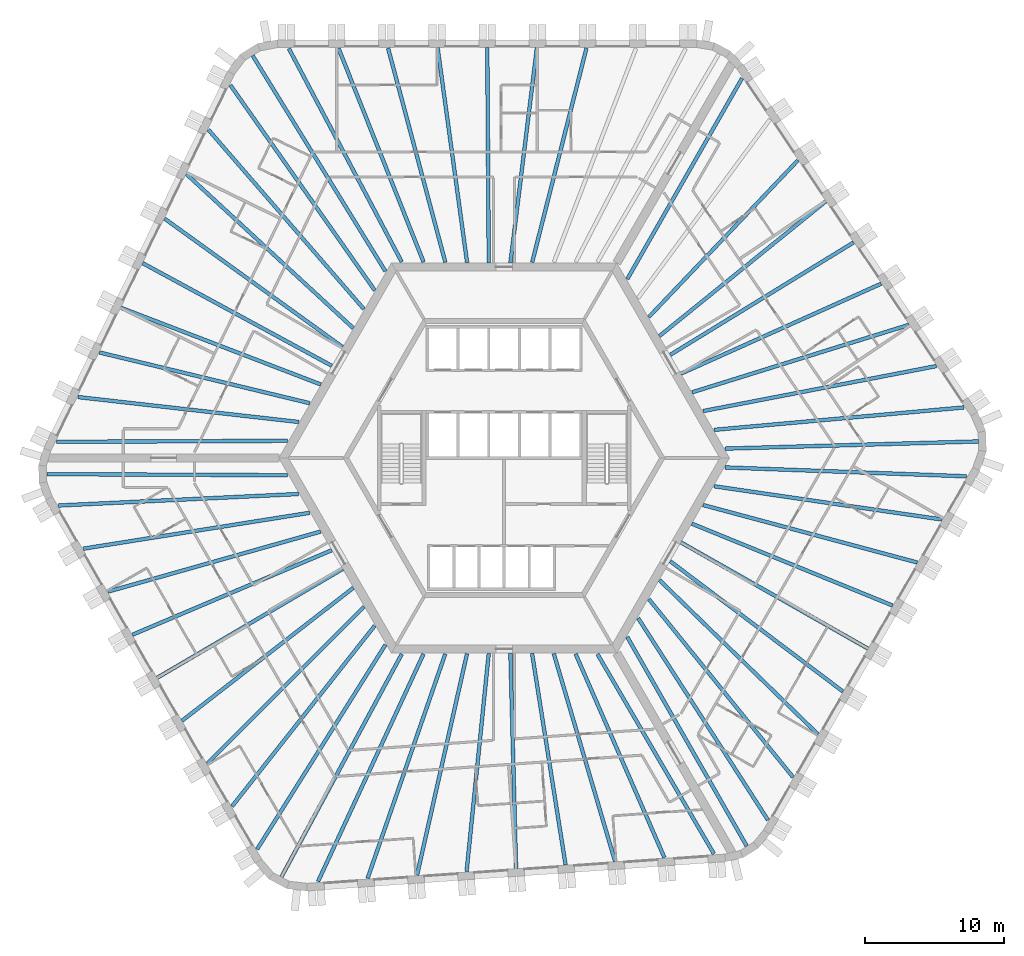
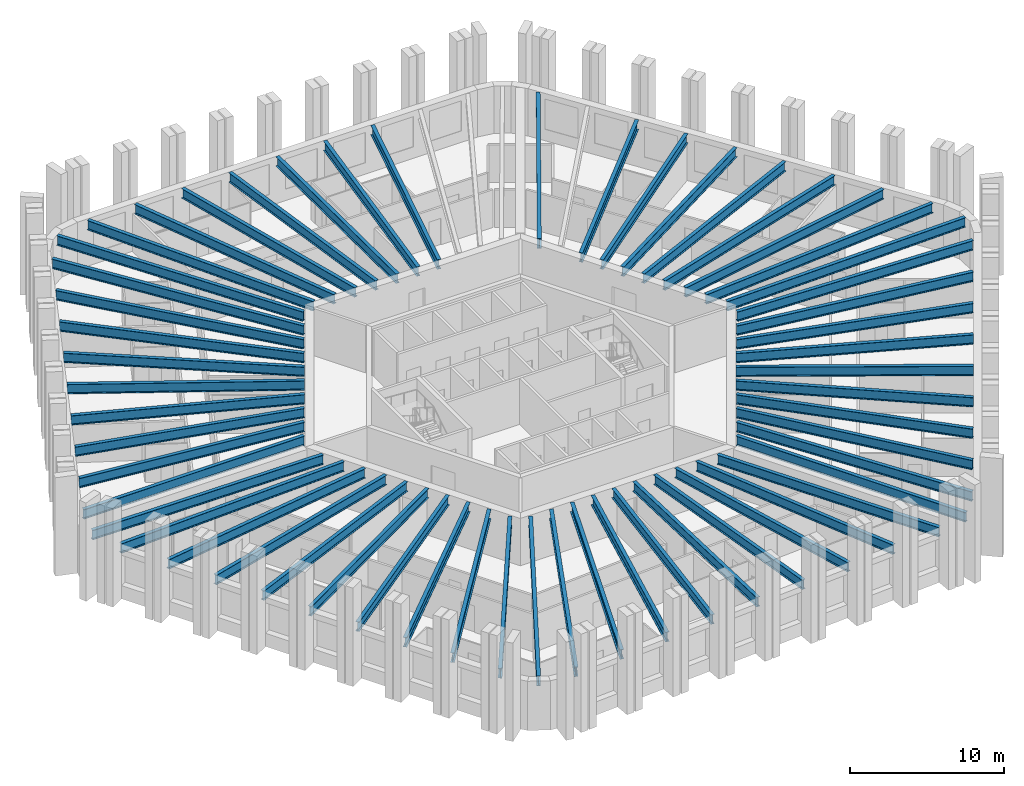
# One storey, part 1 of 12: 56 beams.
"""IFC4 building model written with IfcOpenShell, lengths in metres."""

from ifc_helpers import new_model, si_unit, direction, frame, origin, origin_2d, place, context, subcontext, project, spatial, i_section, extrude, material, material_profile, profile_set, type_object, element, save


model = new_model("IFC4")

# Units and contexts
model_context = context("Model", 3, precision=1e-05, world=origin(), true_north=direction((0.0, 1.0)))
body_context = subcontext(model_context, "Body", "Model", "MODEL_VIEW")
ifc_project = project(units=[si_unit("LENGTHUNIT", "METRE"), si_unit("AREAUNIT", "SQUARE_METRE"), si_unit("VOLUMEUNIT", "CUBIC_METRE"), si_unit("PLANEANGLEUNIT", "RADIAN"), si_unit("MASSUNIT", "GRAM", prefix="KILO")], contexts=[model_context])

# Site, building, storey
site_placement = place(None, origin())
site = spatial("IfcSite", under=ifc_project, at=site_placement, CompositionType="ELEMENT")
building_placement = place(site_placement, origin())
building = spatial("IfcBuilding", under=site, at=building_placement, Name="Tarnside Tower", CompositionType="ELEMENT")
storey_placement = place(building_placement, frame((0.0, 0.0, 60.89990234375)))
storey = spatial("IfcBuildingStorey", under=building, at=storey_placement, Name="L12", CompositionType="ELEMENT", Elevation=60.89990234375)

# Beams
ifc_material = material(Name="Steel S355", Category="steel")
ifc_material_profile_1 = material_profile(ifc_material, i_section(OverallWidth=0.26513671875, OverallDepth=0.75390625, WebThickness=0.0126953125, FlangeThickness=0.017578125, FilletRadius=0.0166015625, at=origin_2d()), Name="UB 762x267x147")
ifc_profile_set_1 = profile_set([ifc_material_profile_1], Name="Steel S355")
beam_type_1 = type_object("IfcBeamType", Name="Floor beam UB 762x267x147", PredefinedType="BEAM", material=ifc_profile_set_1)
beam_1_placement = place(storey_placement, frame((2.3525390625, 29.43017578125, 3.373046875), z_axis=(-0.122329629165, -0.992489527314, 0.0), x_axis=(0.992489527314, -0.122329629165, 0.0)))
element("IfcBeam", 1, at=beam_1_placement, inside=storey, type_object=beam_type_1, Name="Floor beam F1.04", PredefinedType="BEAM", context=body_context, shape_type="SweptSolid", body=[
    extrude(i_section(OverallWidth=0.26513671875, OverallDepth=0.75390625, WebThickness=0.0126953125, FlangeThickness=0.017578125, FilletRadius=0.0166015625, at=origin_2d()), origin(), (0.0, 0.0, 1.0), 15.527099609375),
])
beam_2_placement = place(storey_placement, frame((-1.208984375, 29.449951171875, 3.373046875), z_axis=(0.007000128723, -0.999975498799, 0.0), x_axis=(0.999975498799, 0.007000128723, 0.0)))
element("IfcBeam", 2, at=beam_2_placement, inside=storey, type_object=beam_type_1, Name="Floor beam F1.05", PredefinedType="BEAM", context=body_context, shape_type="SweptSolid", body=[
    extrude(i_section(OverallWidth=0.26513671875, OverallDepth=0.75390625, WebThickness=0.0126953125, FlangeThickness=0.017578125, FilletRadius=0.0166015625, at=origin_2d()), origin(), (0.0, 0.0, 1.0), 15.450439453125),
])
beam_3_placement = place(storey_placement, frame((-4.7705078125, 29.43017578125, 3.373046875), z_axis=(0.136000560933, -0.990708760144, 0.0), x_axis=(0.990708760144, 0.136000560933, 0.0)))
element("IfcBeam", 3, at=beam_3_placement, inside=storey, type_object=beam_type_1, Name="Floor beam F1.06", PredefinedType="BEAM", context=body_context, shape_type="SweptSolid", body=[
    extrude(i_section(OverallWidth=0.26513671875, OverallDepth=0.75390625, WebThickness=0.0126953125, FlangeThickness=0.017578125, FilletRadius=0.0166015625, at=origin_2d()), origin(), (0.0, 0.0, 1.0), 15.554931640625),
])
beam_4_placement = place(storey_placement, frame((-24.348876953125, 17.168212890625, 3.373046875), z_axis=(0.811027744825, -0.585007689799, 0.0), x_axis=(0.585007689799, 0.811027744825, 0.0)))
element("IfcBeam", 4, at=beam_4_placement, inside=storey, type_object=beam_type_1, Name="Floor beam F2.04", PredefinedType="BEAM", context=body_context, shape_type="SweptSolid", body=[
    extrude(i_section(OverallWidth=0.26513671875, OverallDepth=0.75390625, WebThickness=0.0126953125, FlangeThickness=0.017578125, FilletRadius=0.0166015625, at=origin_2d()), origin(), (0.0, 0.0, 1.0), 15.731689453125),
])
beam_5_placement = place(storey_placement, frame((-25.92626953125, 13.978271484375, 3.373046875), z_axis=(0.878894567679, -0.477016078245, 0.0), x_axis=(0.477016078245, 0.878894567679, 0.0)))
element("IfcBeam", 5, at=beam_5_placement, inside=storey, type_object=beam_type_1, Name="Floor beam F2.05", PredefinedType="BEAM", context=body_context, shape_type="SweptSolid", body=[
    extrude(i_section(OverallWidth=0.26513671875, OverallDepth=0.75390625, WebThickness=0.0126953125, FlangeThickness=0.017578125, FilletRadius=0.0166015625, at=origin_2d()), origin(), (0.0, 0.0, 1.0), 15.427490234375),
])
beam_6_placement = place(storey_placement, frame((-27.487548828125, 10.77734375, 3.373046875), z_axis=(0.933617702452, -0.358270827264, 0.0), x_axis=(0.358270827264, 0.933617702452, 0.0)))
element("IfcBeam", 6, at=beam_6_placement, inside=storey, type_object=beam_type_1, Name="Floor beam F2.06", PredefinedType="BEAM", context=body_context, shape_type="SweptSolid", body=[
    extrude(i_section(OverallWidth=0.26513671875, OverallDepth=0.75390625, WebThickness=0.0126953125, FlangeThickness=0.017578125, FilletRadius=0.0166015625, at=origin_2d()), origin(), (0.0, 0.0, 1.0), 15.363037109375),
])
beam_7_placement = place(storey_placement, frame((-29.029296875, 7.572509765625, 3.373046875), z_axis=(0.972101750991, -0.234559556873, 0.0), x_axis=(0.234559556873, 0.972101750991, 0.0)))
element("IfcBeam", 7, at=beam_7_placement, inside=storey, type_object=beam_type_1, Name="Floor beam F2.07", PredefinedType="BEAM", context=body_context, shape_type="SweptSolid", body=[
    extrude(i_section(OverallWidth=0.26513671875, OverallDepth=0.75390625, WebThickness=0.0126953125, FlangeThickness=0.017578125, FilletRadius=0.0166015625, at=origin_2d()), origin(), (0.0, 0.0, 1.0), 15.522216796875),
])
beam_8_placement = place(storey_placement, frame((-26.66357421875, -12.677734375, 3.373046875), z_axis=(0.920684021494, 0.390308765679, 0.0), x_axis=(-0.390308765679, 0.920684021494, 0.0)))
element("IfcBeam", 8, at=beam_8_placement, inside=storey, type_object=beam_type_1, Name="Floor beam F3.04", PredefinedType="BEAM", context=body_context, shape_type="SweptSolid", body=[
    extrude(i_section(OverallWidth=0.26513671875, OverallDepth=0.75390625, WebThickness=0.0126953125, FlangeThickness=0.017578125, FilletRadius=0.0166015625, at=origin_2d()), origin(), (0.0, 0.0, 1.0), 15.52685546875),
])
beam_9_placement = place(storey_placement, frame((-24.89990234375, -15.772216796875, 3.373046875), z_axis=(0.862497502004, 0.506061319443, 0.0), x_axis=(-0.506061319443, 0.862497502004, 0.0)))
element("IfcBeam", 9, at=beam_9_placement, inside=storey, type_object=beam_type_1, Name="Floor beam F3.05", PredefinedType="BEAM", context=body_context, shape_type="SweptSolid", body=[
    extrude(i_section(OverallWidth=0.26513671875, OverallDepth=0.75390625, WebThickness=0.0126953125, FlangeThickness=0.017578125, FilletRadius=0.0166015625, at=origin_2d()), origin(), (0.0, 0.0, 1.0), 15.450439453125),
])
beam_10_placement = place(storey_placement, frame((-23.10205078125, -18.846435546875, 3.373046875), z_axis=(0.789983963813, 0.613127504617, 0.0), x_axis=(-0.613127504617, 0.789983963813, 0.0)))
element("IfcBeam", 10, at=beam_10_placement, inside=storey, type_object=beam_type_1, Name="Floor beam F3.06", PredefinedType="BEAM", context=body_context, shape_type="SweptSolid", body=[
    extrude(i_section(OverallWidth=0.26513671875, OverallDepth=0.75390625, WebThickness=0.0126953125, FlangeThickness=0.017578125, FilletRadius=0.0166015625, at=origin_2d()), origin(), (0.0, 0.0, 1.0), 15.554931640625),
])
beam_11_placement = place(storey_placement, frame((-2.693603515625, -29.6708984375, 3.373046875), z_axis=(0.101123115756, 0.994873919379, 0.0), x_axis=(-0.994873919379, 0.101123115756, 0.0)))
element("IfcBeam", 11, at=beam_11_placement, inside=storey, type_object=beam_type_1, Name="Floor beam F4.04", PredefinedType="BEAM", context=body_context, shape_type="SweptSolid", body=[
    extrude(i_section(OverallWidth=0.26513671875, OverallDepth=0.75390625, WebThickness=0.0126953125, FlangeThickness=0.017578125, FilletRadius=0.0166015625, at=origin_2d()), origin(), (0.0, 0.0, 1.0), 15.7314453125),
])
beam_12_placement = place(storey_placement, frame((0.857666015625, -29.44189453125, 3.373046875), z_axis=(-0.026333316788, 0.999653218085, 0.0), x_axis=(-0.999653218085, -0.026333316788, 0.0)))
element("IfcBeam", 12, at=beam_12_placement, inside=storey, type_object=beam_type_1, Name="Floor beam F4.05", PredefinedType="BEAM", context=body_context, shape_type="SweptSolid", body=[
    extrude(i_section(OverallWidth=0.26513671875, OverallDepth=0.75390625, WebThickness=0.0126953125, FlangeThickness=0.017578125, FilletRadius=0.0166015625, at=origin_2d()), origin(), (0.0, 0.0, 1.0), 15.42724609375),
])
beam_13_placement = place(storey_placement, frame((4.41015625, -29.193603515625, 3.373046875), z_axis=(-0.156513375907, 0.98767583911, 0.0), x_axis=(-0.98767583911, -0.156513375907, 0.0)))
element("IfcBeam", 13, at=beam_13_placement, inside=storey, type_object=beam_type_1, Name="Floor beam F4.06", PredefinedType="BEAM", context=body_context, shape_type="SweptSolid", body=[
    extrude(i_section(OverallWidth=0.26513671875, OverallDepth=0.75390625, WebThickness=0.0126953125, FlangeThickness=0.017578125, FilletRadius=0.0166015625, at=origin_2d()), origin(), (0.0, 0.0, 1.0), 15.36328125),
])
beam_14_placement = place(storey_placement, frame((7.956787109375, -28.926513671875, 3.373046875), z_axis=(-0.282920694328, 0.959143305623, 0.0), x_axis=(-0.959143305623, -0.282920694328, 0.0)))
element("IfcBeam", 14, at=beam_14_placement, inside=storey, type_object=beam_type_1, Name="Floor beam F4.07", PredefinedType="BEAM", context=body_context, shape_type="SweptSolid", body=[
    extrude(i_section(OverallWidth=0.26513671875, OverallDepth=0.75390625, WebThickness=0.0126953125, FlangeThickness=0.017578125, FilletRadius=0.0166015625, at=origin_2d()), origin(), (0.0, 0.0, 1.0), 15.5224609375),
])
beam_15_placement = place(storey_placement, frame((24.31103515625, -16.75244140625, 3.373046875), z_axis=(-0.798361152727, 0.602178935049, 0.0), x_axis=(-0.602178935049, -0.798361152727, 0.0)))
element("IfcBeam", 15, at=beam_15_placement, inside=storey, type_object=beam_type_1, Name="Floor beam F5.04", PredefinedType="BEAM", context=body_context, shape_type="SweptSolid", body=[
    extrude(i_section(OverallWidth=0.26513671875, OverallDepth=0.75390625, WebThickness=0.0126953125, FlangeThickness=0.017578125, FilletRadius=0.0166015625, at=origin_2d()), origin(), (0.0, 0.0, 1.0), 15.527099609375),
])
beam_16_placement = place(storey_placement, frame((26.10888671875, -13.677978515625, 3.373046875), z_axis=(-0.869502520992, 0.493928502911, 0.0), x_axis=(-0.493928502911, -0.869502520992, 0.0)))
element("IfcBeam", 16, at=beam_16_placement, inside=storey, type_object=beam_type_1, Name="Floor beam F5.05", PredefinedType="BEAM", context=body_context, shape_type="SweptSolid", body=[
    extrude(i_section(OverallWidth=0.26513671875, OverallDepth=0.75390625, WebThickness=0.0126953125, FlangeThickness=0.017578125, FilletRadius=0.0166015625, at=origin_2d()), origin(), (0.0, 0.0, 1.0), 15.4501953125),
])
beam_17_placement = place(storey_placement, frame((27.87255859375, -10.58349609375, 3.373046875), z_axis=(-0.925981621163, 0.377568586177, 0.0), x_axis=(-0.377568586177, -0.925981621163, 0.0)))
element("IfcBeam", 17, at=beam_17_placement, inside=storey, type_object=beam_type_1, Name="Floor beam F5.06", PredefinedType="BEAM", context=body_context, shape_type="SweptSolid", body=[
    extrude(i_section(OverallWidth=0.26513671875, OverallDepth=0.75390625, WebThickness=0.0126953125, FlangeThickness=0.017578125, FilletRadius=0.0166015625, at=origin_2d()), origin(), (0.0, 0.0, 1.0), 15.554931640625),
])
beam_18_placement = place(storey_placement, frame((27.04248046875, 12.502685546875, 3.373046875), z_axis=(-0.912146413919, -0.409864513681, 0.0), x_axis=(0.409864513681, -0.912146413919, 0.0)))
element("IfcBeam", 18, at=beam_18_placement, inside=storey, type_object=beam_type_1, Name="Floor beam F6.04", PredefinedType="BEAM", context=body_context, shape_type="SweptSolid", body=[
    extrude(i_section(OverallWidth=0.26513671875, OverallDepth=0.75390625, WebThickness=0.0126953125, FlangeThickness=0.017578125, FilletRadius=0.0166015625, at=origin_2d()), origin(), (0.0, 0.0, 1.0), 15.7314453125),
])
beam_19_placement = place(storey_placement, frame((25.068603515625, 15.463623046875, 3.373046875), z_axis=(-0.852558490017, -0.522631821744, 0.0), x_axis=(0.522631821744, -0.852558490017, 0.0)))
element("IfcBeam", 19, at=beam_19_placement, inside=storey, type_object=beam_type_1, Name="Floor beam F6.05", PredefinedType="BEAM", context=body_context, shape_type="SweptSolid", body=[
    extrude(i_section(OverallWidth=0.26513671875, OverallDepth=0.75390625, WebThickness=0.0126953125, FlangeThickness=0.017578125, FilletRadius=0.0166015625, at=origin_2d()), origin(), (0.0, 0.0, 1.0), 15.42724609375),
])
beam_20_placement = place(storey_placement, frame((23.0771484375, 18.416259765625, 3.373046875), z_axis=(-0.777079423039, -0.629402550272, 0.0), x_axis=(0.629402550272, -0.777079423039, 0.0)))
element("IfcBeam", 20, at=beam_20_placement, inside=storey, type_object=beam_type_1, Name="Floor beam F6.06", PredefinedType="BEAM", context=body_context, shape_type="SweptSolid", body=[
    extrude(i_section(OverallWidth=0.26513671875, OverallDepth=0.75390625, WebThickness=0.0126953125, FlangeThickness=0.017578125, FilletRadius=0.0166015625, at=origin_2d()), origin(), (0.0, 0.0, 1.0), 15.36328125),
])
beam_21_placement = place(storey_placement, frame((21.072509765625, 21.35400390625, 3.373046875), z_axis=(-0.689174694318, -0.724595225427, 0.0), x_axis=(0.724595225427, -0.689174694318, 0.0)))
element("IfcBeam", 21, at=beam_21_placement, inside=storey, type_object=beam_type_1, Name="Floor beam F6.07", PredefinedType="BEAM", context=body_context, shape_type="SweptSolid", body=[
    extrude(i_section(OverallWidth=0.26513671875, OverallDepth=0.75390625, WebThickness=0.0126953125, FlangeThickness=0.017578125, FilletRadius=0.0166015625, at=origin_2d()), origin(), (0.0, 0.0, 1.0), 15.522216796875),
])
ifc_material_profile_2 = material_profile(ifc_material, i_section(OverallWidth=0.2666015625, OverallDepth=0.76220703125, WebThickness=0.014404296875, FlangeThickness=0.021484375, FilletRadius=0.0166015625, at=origin_2d()), Name="UB 762x267x173")
ifc_profile_set_2 = profile_set([ifc_material_profile_2], Name="Steel S355")
beam_type_2 = type_object("IfcBeamType", Name="Floor beam UB 762x267x173", PredefinedType="BEAM", material=ifc_profile_set_2)
beam_22_placement = place(storey_placement, frame((5.909423828125, 29.4111328125, 3.368896484375), z_axis=(-0.245747281389, -0.969333933013, 0.0), x_axis=(0.969333933013, -0.245747281389, 0.0)))
element("IfcBeam", 22, at=beam_22_placement, inside=storey, type_object=beam_type_2, Name="Floor beam F1.03", PredefinedType="BEAM", context=body_context, shape_type="SweptSolid", body=[
    extrude(i_section(OverallWidth=0.2666015625, OverallDepth=0.76220703125, WebThickness=0.014404296875, FlangeThickness=0.021484375, FilletRadius=0.0166015625, at=origin_2d()), origin(), (0.0, 0.0, 1.0), 15.858642578125),
])
beam_23_placement = place(storey_placement, frame((-8.3271484375, 29.411376953125, 3.368896484375), z_axis=(0.258447478572, -0.966025310652, 0.0), x_axis=(0.966025310652, 0.258447478572, 0.0)))
element("IfcBeam", 23, at=beam_23_placement, inside=storey, type_object=beam_type_2, Name="Floor beam F1.07", PredefinedType="BEAM", context=body_context, shape_type="SweptSolid", body=[
    extrude(i_section(OverallWidth=0.2666015625, OverallDepth=0.76220703125, WebThickness=0.014404296875, FlangeThickness=0.021484375, FilletRadius=0.0166015625, at=origin_2d()), origin(), (0.0, 0.0, 1.0), 15.91357421875),
])
beam_24_placement = place(storey_placement, frame((-11.87939453125, 29.394287109375, 3.368896484375), z_axis=(0.369638204477, -0.929175762593, 0.0), x_axis=(0.929175762593, 0.369638204477, 0.0)))
element("IfcBeam", 24, at=beam_24_placement, inside=storey, type_object=beam_type_2, Name="Floor beam F1.08", PredefinedType="BEAM", context=body_context, shape_type="SweptSolid", body=[
    extrude(i_section(OverallWidth=0.2666015625, OverallDepth=0.76220703125, WebThickness=0.014404296875, FlangeThickness=0.021484375, FilletRadius=0.0166015625, at=origin_2d()), origin(), (0.0, 0.0, 1.0), 16.507568359375),
])
beam_25_placement = place(storey_placement, frame((-15.44580078125, 29.37939453125, 3.368896484375), z_axis=(0.467741993634, -0.883865050441, 0.0), x_axis=(0.883865050441, 0.467741993634, 0.0)))
element("IfcBeam", 25, at=beam_25_placement, inside=storey, type_object=beam_type_2, Name="Floor beam F1.09", PredefinedType="BEAM", context=body_context, shape_type="SweptSolid", body=[
    extrude(i_section(OverallWidth=0.2666015625, OverallDepth=0.76220703125, WebThickness=0.014404296875, FlangeThickness=0.021484375, FilletRadius=0.0166015625, at=origin_2d()), origin(), (0.0, 0.0, 1.0), 17.320068359375),
])
beam_26_placement = place(storey_placement, frame((-18.042236328125, 28.8701171875, 3.368896484375), z_axis=(0.524382977035, -0.851482526771, 0.0), x_axis=(0.851482526771, 0.524382977035, 0.0)))
element("IfcBeam", 26, at=beam_26_placement, inside=storey, type_object=beam_type_2, Name="Floor beam C1", PredefinedType="BEAM", context=body_context, shape_type="SweptSolid", body=[
    extrude(i_section(OverallWidth=0.2666015625, OverallDepth=0.76220703125, WebThickness=0.014404296875, FlangeThickness=0.021484375, FilletRadius=0.0166015625, at=origin_2d()), origin(), (0.0, 0.0, 1.0), 18.1728515625),
])
beam_27_placement = place(storey_placement, frame((-19.638671875, 26.75537109375, 3.368896484375), z_axis=(0.575411427849, -0.817864101609, 0.0), x_axis=(0.817864101609, 0.575411427849, 0.0)))
element("IfcBeam", 27, at=beam_27_placement, inside=storey, type_object=beam_type_2, Name="Floor beam F2.01", PredefinedType="BEAM", context=body_context, shape_type="SweptSolid", body=[
    extrude(i_section(OverallWidth=0.2666015625, OverallDepth=0.76220703125, WebThickness=0.014404296875, FlangeThickness=0.021484375, FilletRadius=0.0166015625, at=origin_2d()), origin(), (0.0, 0.0, 1.0), 18.00048828125),
])
beam_28_placement = place(storey_placement, frame((-21.21630859375, 23.554931640625, 3.368896484375), z_axis=(0.654980748073, -0.755645564834, 0.0), x_axis=(0.755645564834, 0.654980748073, 0.0)))
element("IfcBeam", 28, at=beam_28_placement, inside=storey, type_object=beam_type_2, Name="Floor beam F2.02", PredefinedType="BEAM", context=body_context, shape_type="SweptSolid", body=[
    extrude(i_section(OverallWidth=0.2666015625, OverallDepth=0.76220703125, WebThickness=0.014404296875, FlangeThickness=0.021484375, FilletRadius=0.0166015625, at=origin_2d()), origin(), (0.0, 0.0, 1.0), 17.0302734375),
])
beam_29_placement = place(storey_placement, frame((-22.7890625, 20.368408203125, 3.368896484375), z_axis=(0.734715474517, -0.678375391288, 0.0), x_axis=(0.678375391288, 0.734715474517, 0.0)))
element("IfcBeam", 29, at=beam_29_placement, inside=storey, type_object=beam_type_2, Name="Floor beam F2.03", PredefinedType="BEAM", context=body_context, shape_type="SweptSolid", body=[
    extrude(i_section(OverallWidth=0.2666015625, OverallDepth=0.76220703125, WebThickness=0.014404296875, FlangeThickness=0.021484375, FilletRadius=0.0166015625, at=origin_2d()), origin(), (0.0, 0.0, 1.0), 16.2802734375),
])
beam_30_placement = place(storey_placement, frame((-30.570556640625, 4.372802734375, 3.368896484375), z_axis=(0.993687302776, -0.112185312326, 0.0), x_axis=(0.112185312326, 0.993687302776, 0.0)))
element("IfcBeam", 30, at=beam_30_placement, inside=storey, type_object=beam_type_2, Name="Floor beam F2.08", PredefinedType="BEAM", context=body_context, shape_type="SweptSolid", body=[
    extrude(i_section(OverallWidth=0.2666015625, OverallDepth=0.76220703125, WebThickness=0.014404296875, FlangeThickness=0.021484375, FilletRadius=0.0166015625, at=origin_2d()), origin(), (0.0, 0.0, 1.0), 15.934326171875),
])
beam_31_placement = place(storey_placement, frame((-32.119384765625, 1.162109375, 3.368896484375), z_axis=(0.999990508787, 0.004356872304, 0.0), x_axis=(-0.004356872304, 0.999990508787, 0.0)))
element("IfcBeam", 31, at=beam_31_placement, inside=storey, type_object=beam_type_2, Name="Floor beam F2.09", PredefinedType="BEAM", context=body_context, shape_type="SweptSolid", body=[
    extrude(i_section(OverallWidth=0.2666015625, OverallDepth=0.76220703125, WebThickness=0.014404296875, FlangeThickness=0.021484375, FilletRadius=0.0166015625, at=origin_2d()), origin(), (0.0, 0.0, 1.0), 16.586669921875),
])
beam_32_placement = place(storey_placement, frame((-32.80712890625, -1.1572265625, 3.368896484375), z_axis=(0.999990027056, -0.004466070929, 0.0), x_axis=(0.004466070929, 0.999990027056, 0.0)))
element("IfcBeam", 32, at=beam_32_placement, inside=storey, type_object=beam_type_2, Name="Floor beam C2", PredefinedType="BEAM", context=body_context, shape_type="SweptSolid", body=[
    extrude(i_section(OverallWidth=0.2666015625, OverallDepth=0.76220703125, WebThickness=0.014404296875, FlangeThickness=0.021484375, FilletRadius=0.0166015625, at=origin_2d()), origin(), (0.0, 0.0, 1.0), 17.2744140625),
])
beam_33_placement = place(storey_placement, frame((-31.95703125, -3.406494140625, 3.368896484375), z_axis=(0.998853818522, 0.047864905982, 0.0), x_axis=(-0.047864905982, 0.998853818522, 0.0)))
element("IfcBeam", 33, at=beam_33_placement, inside=storey, type_object=beam_type_2, Name="Floor beam F3.01", PredefinedType="BEAM", context=body_context, shape_type="SweptSolid", body=[
    extrude(i_section(OverallWidth=0.2666015625, OverallDepth=0.76220703125, WebThickness=0.014404296875, FlangeThickness=0.021484375, FilletRadius=0.0166015625, at=origin_2d()), origin(), (0.0, 0.0, 1.0), 17.2197265625),
])
beam_34_placement = place(storey_placement, frame((-30.18701171875, -6.502685546875, 3.368896484375), z_axis=(0.987678477078, 0.156496728136, 0.0), x_axis=(-0.156496728136, 0.987678477078, 0.0)))
element("IfcBeam", 34, at=beam_34_placement, inside=storey, type_object=beam_type_2, Name="Floor beam F3.02", PredefinedType="BEAM", context=body_context, shape_type="SweptSolid", body=[
    extrude(i_section(OverallWidth=0.2666015625, OverallDepth=0.76220703125, WebThickness=0.014404296875, FlangeThickness=0.021484375, FilletRadius=0.0166015625, at=origin_2d()), origin(), (0.0, 0.0, 1.0), 16.4287109375),
])
beam_35_placement = place(storey_placement, frame((-28.425537109375, -9.587890625, 3.368896484375), z_axis=(0.962342240503, 0.271840784547, 0.0), x_axis=(-0.271840784547, 0.962342240503, 0.0)))
element("IfcBeam", 35, at=beam_35_placement, inside=storey, type_object=beam_type_2, Name="Floor beam F3.03", PredefinedType="BEAM", context=body_context, shape_type="SweptSolid", body=[
    extrude(i_section(OverallWidth=0.2666015625, OverallDepth=0.76220703125, WebThickness=0.014404296875, FlangeThickness=0.021484375, FilletRadius=0.0166015625, at=origin_2d()), origin(), (0.0, 0.0, 1.0), 15.858642578125),
])
beam_36_placement = place(storey_placement, frame((-21.307373046875, -21.917236328125, 3.368896484375), z_axis=(0.707367544857, 0.706845921318, 0.0), x_axis=(-0.706845921318, 0.707367544857, 0.0)))
element("IfcBeam", 36, at=beam_36_placement, inside=storey, type_object=beam_type_2, Name="Floor beam F3.07", PredefinedType="BEAM", context=body_context, shape_type="SweptSolid", body=[
    extrude(i_section(OverallWidth=0.2666015625, OverallDepth=0.76220703125, WebThickness=0.014404296875, FlangeThickness=0.021484375, FilletRadius=0.0166015625, at=origin_2d()), origin(), (0.0, 0.0, 1.0), 15.913330078125),
])
beam_37_placement = place(storey_placement, frame((-19.516357421875, -24.985107421875, 3.368896484375), z_axis=(0.619872995007, 0.784702153725, 0.0), x_axis=(-0.784702153725, 0.619872995007, 0.0)))
element("IfcBeam", 37, at=beam_37_placement, inside=storey, type_object=beam_type_2, Name="Floor beam F3.08", PredefinedType="BEAM", context=body_context, shape_type="SweptSolid", body=[
    extrude(i_section(OverallWidth=0.2666015625, OverallDepth=0.76220703125, WebThickness=0.014404296875, FlangeThickness=0.021484375, FilletRadius=0.0166015625, at=origin_2d()), origin(), (0.0, 0.0, 1.0), 16.507568359375),
])
beam_38_placement = place(storey_placement, frame((-17.72021484375, -28.066162109375, 3.368896484375), z_axis=(0.531583085704, 0.847006152866, 0.0), x_axis=(-0.847006152866, 0.531583085704, 0.0)))
element("IfcBeam", 38, at=beam_38_placement, inside=storey, type_object=beam_type_2, Name="Floor beam F3.09", PredefinedType="BEAM", context=body_context, shape_type="SweptSolid", body=[
    extrude(i_section(OverallWidth=0.2666015625, OverallDepth=0.76220703125, WebThickness=0.014404296875, FlangeThickness=0.021484375, FilletRadius=0.0166015625, at=origin_2d()), origin(), (0.0, 0.0, 1.0), 17.320068359375),
])
beam_39_placement = place(storey_placement, frame((-15.981201171875, -30.060302734375, 3.368896484375), z_axis=(0.475208200571, 0.879873380726, 0.0), x_axis=(-0.879873380726, 0.475208200571, 0.0)))
element("IfcBeam", 39, at=beam_39_placement, inside=storey, type_object=beam_type_2, Name="Floor beam C3", PredefinedType="BEAM", context=body_context, shape_type="SweptSolid", body=[
    extrude(i_section(OverallWidth=0.2666015625, OverallDepth=0.76220703125, WebThickness=0.014404296875, FlangeThickness=0.021484375, FilletRadius=0.0166015625, at=origin_2d()), origin(), (0.0, 0.0, 1.0), 18.173095703125),
])
beam_40_placement = place(storey_placement, frame((-13.3515625, -30.38525390625, 3.368896484375), z_axis=(0.42059199668, 0.907249895193, 0.0), x_axis=(-0.907249895193, 0.42059199668, 0.0)))
element("IfcBeam", 40, at=beam_40_placement, inside=storey, type_object=beam_type_2, Name="Floor beam F4.01", PredefinedType="BEAM", context=body_context, shape_type="SweptSolid", body=[
    extrude(i_section(OverallWidth=0.2666015625, OverallDepth=0.76220703125, WebThickness=0.014404296875, FlangeThickness=0.021484375, FilletRadius=0.0166015625, at=origin_2d()), origin(), (0.0, 0.0, 1.0), 18.000244140625),
])
beam_41_placement = place(storey_placement, frame((-9.791015625, -30.151123046875, 3.368896484375), z_axis=(0.326912128872, 0.945054739153, 0.0), x_axis=(-0.945054739153, 0.326912128872, 0.0)))
element("IfcBeam", 41, at=beam_41_placement, inside=storey, type_object=beam_type_2, Name="Floor beam F4.02", PredefinedType="BEAM", context=body_context, shape_type="SweptSolid", body=[
    extrude(i_section(OverallWidth=0.2666015625, OverallDepth=0.76220703125, WebThickness=0.014404296875, FlangeThickness=0.021484375, FilletRadius=0.0166015625, at=origin_2d()), origin(), (0.0, 0.0, 1.0), 17.0302734375),
])
beam_42_placement = place(storey_placement, frame((-6.2451171875, -29.920166015625, 3.368896484375), z_axis=(0.220139818673, 0.975468328668, 0.0), x_axis=(-0.975468328668, 0.220139818673, 0.0)))
element("IfcBeam", 42, at=beam_42_placement, inside=storey, type_object=beam_type_2, Name="Floor beam F4.03", PredefinedType="BEAM", context=body_context, shape_type="SweptSolid", body=[
    extrude(i_section(OverallWidth=0.2666015625, OverallDepth=0.76220703125, WebThickness=0.014404296875, FlangeThickness=0.021484375, FilletRadius=0.0166015625, at=origin_2d()), origin(), (0.0, 0.0, 1.0), 16.280517578125),
])
beam_43_placement = place(storey_placement, frame((11.498291015625, -28.6611328125, 3.368896484375), z_axis=(-0.399695682658, 0.916647893831, 0.0), x_axis=(-0.916647893831, -0.399695682658, 0.0)))
element("IfcBeam", 43, at=beam_43_placement, inside=storey, type_object=beam_type_2, Name="Floor beam F4.08", PredefinedType="BEAM", context=body_context, shape_type="SweptSolid", body=[
    extrude(i_section(OverallWidth=0.2666015625, OverallDepth=0.76220703125, WebThickness=0.014404296875, FlangeThickness=0.021484375, FilletRadius=0.0166015625, at=origin_2d()), origin(), (0.0, 0.0, 1.0), 15.934326171875),
])
beam_44_placement = place(storey_placement, frame((15.05322265625, -28.3974609375, 3.368896484375), z_axis=(-0.503758455062, 0.86384455717, 0.0), x_axis=(-0.86384455717, -0.503758455062, 0.0)))
element("IfcBeam", 44, at=beam_44_placement, inside=storey, type_object=beam_type_2, Name="Floor beam F4.09", PredefinedType="BEAM", context=body_context, shape_type="SweptSolid", body=[
    extrude(i_section(OverallWidth=0.2666015625, OverallDepth=0.76220703125, WebThickness=0.014404296875, FlangeThickness=0.021484375, FilletRadius=0.0166015625, at=origin_2d()), origin(), (0.0, 0.0, 1.0), 16.586669921875),
])
beam_45_placement = place(storey_placement, frame((17.40576171875, -27.833251953125, 3.368896484375), z_axis=(-0.496126762138, 0.868250099851, 0.0), x_axis=(-0.868250099851, -0.496126762138, 0.0)))
element("IfcBeam", 45, at=beam_45_placement, inside=storey, type_object=beam_type_2, Name="Floor beam C4", PredefinedType="BEAM", context=body_context, shape_type="SweptSolid", body=[
    extrude(i_section(OverallWidth=0.2666015625, OverallDepth=0.76220703125, WebThickness=0.014404296875, FlangeThickness=0.021484375, FilletRadius=0.0166015625, at=origin_2d()), origin(), (0.0, 0.0, 1.0), 17.2744140625),
])
beam_46_placement = place(storey_placement, frame((18.9287109375, -25.972412109375, 3.368896484375), z_axis=(-0.540872954463, 0.841104302171, 0.0), x_axis=(-0.841104302171, -0.540872954463, 0.0)))
element("IfcBeam", 46, at=beam_46_placement, inside=storey, type_object=beam_type_2, Name="Floor beam F5.01", PredefinedType="BEAM", context=body_context, shape_type="SweptSolid", body=[
    extrude(i_section(OverallWidth=0.2666015625, OverallDepth=0.76220703125, WebThickness=0.014404296875, FlangeThickness=0.021484375, FilletRadius=0.0166015625, at=origin_2d()), origin(), (0.0, 0.0, 1.0), 17.2197265625),
])
beam_47_placement = place(storey_placement, frame((20.72509765625, -22.89111328125, 3.368896484375), z_axis=(-0.62939015525, 0.777089462336, 0.0), x_axis=(-0.777089462336, -0.62939015525, 0.0)))
element("IfcBeam", 47, at=beam_47_placement, inside=storey, type_object=beam_type_2, Name="Floor beam F5.02", PredefinedType="BEAM", context=body_context, shape_type="SweptSolid", body=[
    extrude(i_section(OverallWidth=0.2666015625, OverallDepth=0.76220703125, WebThickness=0.014404296875, FlangeThickness=0.021484375, FilletRadius=0.0166015625, at=origin_2d()), origin(), (0.0, 0.0, 1.0), 16.4287109375),
])
beam_48_placement = place(storey_placement, frame((22.51611328125, -19.8232421875, 3.368896484375), z_axis=(-0.716594696052, 0.697489814686, 0.0), x_axis=(-0.697489814686, -0.716594696052, 0.0)))
element("IfcBeam", 48, at=beam_48_placement, inside=storey, type_object=beam_type_2, Name="Floor beam F5.03", PredefinedType="BEAM", context=body_context, shape_type="SweptSolid", body=[
    extrude(i_section(OverallWidth=0.2666015625, OverallDepth=0.76220703125, WebThickness=0.014404296875, FlangeThickness=0.021484375, FilletRadius=0.0166015625, at=origin_2d()), origin(), (0.0, 0.0, 1.0), 15.858642578125),
])
beam_49_placement = place(storey_placement, frame((29.634521484375, -7.494140625, 3.368896484375), z_axis=(-0.965827851395, 0.259184415946, 0.0), x_axis=(-0.259184415946, -0.965827851395, 0.0)))
element("IfcBeam", 49, at=beam_49_placement, inside=storey, type_object=beam_type_2, Name="Floor beam F5.07", PredefinedType="BEAM", context=body_context, shape_type="SweptSolid", body=[
    extrude(i_section(OverallWidth=0.2666015625, OverallDepth=0.76220703125, WebThickness=0.014404296875, FlangeThickness=0.021484375, FilletRadius=0.0166015625, at=origin_2d()), origin(), (0.0, 0.0, 1.0), 15.913330078125),
])
beam_50_placement = place(storey_placement, frame((31.39599609375, -4.4091796875, 3.368896484375), z_axis=(-0.989507887412, 0.144478859177, 0.0), x_axis=(-0.144478859177, -0.989507887412, 0.0)))
element("IfcBeam", 50, at=beam_50_placement, inside=storey, type_object=beam_type_2, Name="Floor beam F5.08", PredefinedType="BEAM", context=body_context, shape_type="SweptSolid", body=[
    extrude(i_section(OverallWidth=0.2666015625, OverallDepth=0.76220703125, WebThickness=0.014404296875, FlangeThickness=0.021484375, FilletRadius=0.0166015625, at=origin_2d()), origin(), (0.0, 0.0, 1.0), 16.507568359375),
])
beam_51_placement = place(storey_placement, frame((33.166259765625, -1.31298828125, 3.368896484375), z_axis=(-0.999320941149, 0.036846391708, 0.0), x_axis=(-0.036846391708, -0.999320941149, 0.0)))
element("IfcBeam", 51, at=beam_51_placement, inside=storey, type_object=beam_type_2, Name="Floor beam F5.09", PredefinedType="BEAM", context=body_context, shape_type="SweptSolid", body=[
    extrude(i_section(OverallWidth=0.2666015625, OverallDepth=0.76220703125, WebThickness=0.014404296875, FlangeThickness=0.021484375, FilletRadius=0.0166015625, at=origin_2d()), origin(), (0.0, 0.0, 1.0), 17.320068359375),
])
beam_52_placement = place(storey_placement, frame((34.0234375, 1.18994140625, 3.368896484375), z_axis=(-0.999597013499, -0.028386803343, 0.0), x_axis=(0.028386803343, -0.999597013499, 0.0)))
element("IfcBeam", 52, at=beam_52_placement, inside=storey, type_object=beam_type_2, Name="Floor beam C5", PredefinedType="BEAM", context=body_context, shape_type="SweptSolid", body=[
    extrude(i_section(OverallWidth=0.2666015625, OverallDepth=0.76220703125, WebThickness=0.014404296875, FlangeThickness=0.021484375, FilletRadius=0.0166015625, at=origin_2d()), origin(), (0.0, 0.0, 1.0), 18.1728515625),
])
beam_53_placement = place(storey_placement, frame((32.990234375, 3.6298828125, 3.368896484375), z_axis=(-0.995997485142, -0.089381259731, 0.0), x_axis=(0.089381259731, -0.995997485142, 0.0)))
element("IfcBeam", 53, at=beam_53_placement, inside=storey, type_object=beam_type_2, Name="Floor beam F6.01", PredefinedType="BEAM", context=body_context, shape_type="SweptSolid", body=[
    extrude(i_section(OverallWidth=0.2666015625, OverallDepth=0.76220703125, WebThickness=0.014404296875, FlangeThickness=0.021484375, FilletRadius=0.0166015625, at=origin_2d()), origin(), (0.0, 0.0, 1.0), 18.000244140625),
])
beam_54_placement = place(storey_placement, frame((31.007080078125, 6.596435546875, 3.368896484375), z_axis=(-0.981896564922, -0.189417886679, 0.0), x_axis=(0.189417886679, -0.981896564922, 0.0)))
element("IfcBeam", 54, at=beam_54_placement, inside=storey, type_object=beam_type_2, Name="Floor beam F6.02", PredefinedType="BEAM", context=body_context, shape_type="SweptSolid", body=[
    extrude(i_section(OverallWidth=0.2666015625, OverallDepth=0.76220703125, WebThickness=0.014404296875, FlangeThickness=0.021484375, FilletRadius=0.0166015625, at=origin_2d()), origin(), (0.0, 0.0, 1.0), 17.0302734375),
])
beam_55_placement = place(storey_placement, frame((29.0341796875, 9.5517578125, 3.368896484375), z_axis=(-0.954846945108, -0.297098151152, 0.0), x_axis=(0.297098151152, -0.954846945108, 0.0)))
element("IfcBeam", 55, at=beam_55_placement, inside=storey, type_object=beam_type_2, Name="Floor beam F6.03", PredefinedType="BEAM", context=body_context, shape_type="SweptSolid", body=[
    extrude(i_section(OverallWidth=0.2666015625, OverallDepth=0.76220703125, WebThickness=0.014404296875, FlangeThickness=0.021484375, FilletRadius=0.0166015625, at=origin_2d()), origin(), (0.0, 0.0, 1.0), 16.280517578125),
])
beam_56_placement = place(storey_placement, frame((17.066162109375, 27.235107421875, 3.368896484375), z_axis=(-0.49622611841, -0.868193319145, 0.0), x_axis=(0.868193319145, -0.49622611841, 0.0)))
element("IfcBeam", 56, at=beam_56_placement, inside=storey, type_object=beam_type_2, Name="Floor beam F6.09", PredefinedType="BEAM", context=body_context, shape_type="SweptSolid", body=[
    extrude(i_section(OverallWidth=0.2666015625, OverallDepth=0.76220703125, WebThickness=0.014404296875, FlangeThickness=0.021484375, FilletRadius=0.0166015625, at=origin_2d()), origin(), (0.0, 0.0, 1.0), 16.586669921875),
])

save(model, "model.ifc")
